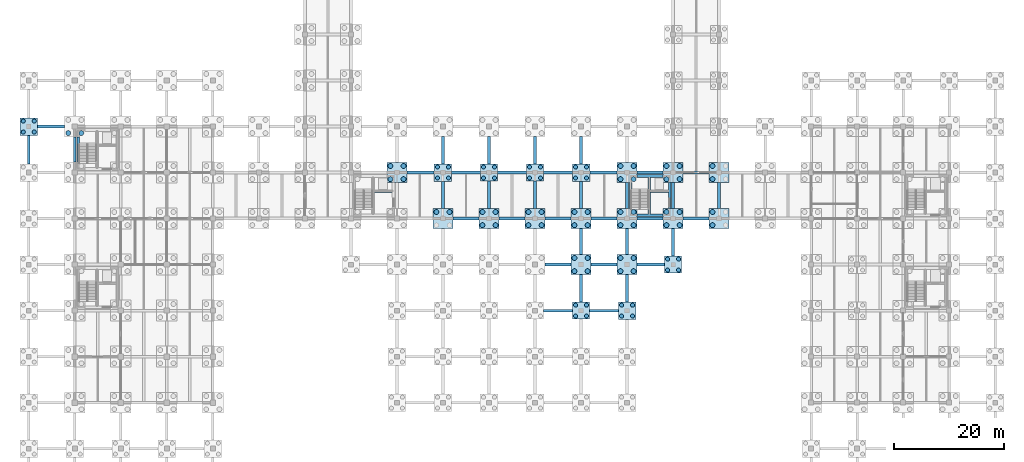
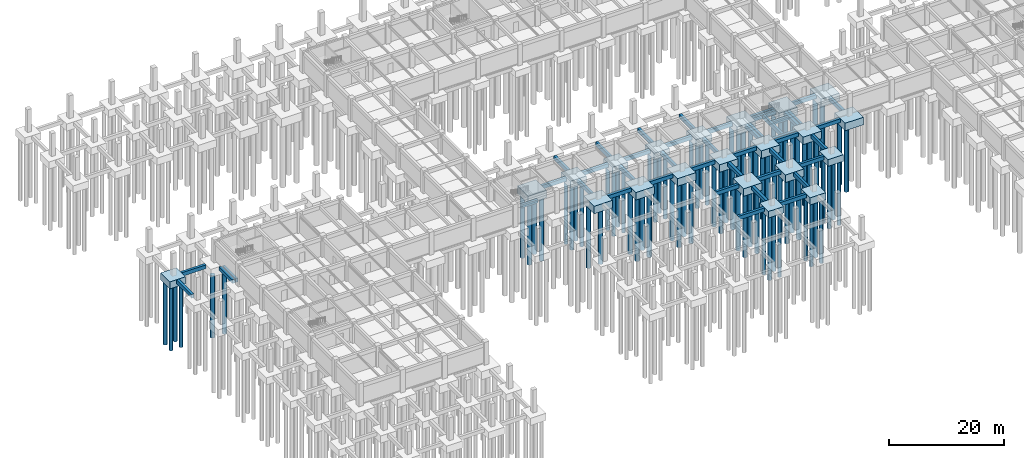
# One storey, part 4 of 29: 80 piles, 66 footings.
"""IFC4 building model written with IfcOpenShell, lengths in metres."""

from ifc_helpers import new_model, si_unit, direction, frame, origin, origin_2d, place, context, subcontext, project, spatial, rectangle, circle, extrude, material, material_profile, profile_set, type_object, element, save


model = new_model("IFC4")

# Units and contexts
model_context = context("Model", 3, precision=1e-05, world=origin(), true_north=direction((0.0, 1.0)))
body_context = subcontext(model_context, "Body", "Model", "MODEL_VIEW")
ifc_project = project(units=[si_unit("LENGTHUNIT", "METRE"), si_unit("AREAUNIT", "SQUARE_METRE"), si_unit("VOLUMEUNIT", "CUBIC_METRE"), si_unit("PLANEANGLEUNIT", "RADIAN"), si_unit("MASSUNIT", "GRAM", prefix="KILO")], contexts=[model_context])

# Site, building, storey
site_placement = place(None, origin())
site = spatial("IfcSite", under=ifc_project, at=site_placement, CompositionType="ELEMENT")
building_placement = place(site_placement, origin())
building = spatial("IfcBuilding", under=site, at=building_placement, Name="Porcellanite Civic Hall", CompositionType="ELEMENT")
storey_placement = place(building_placement, frame((0.0, 0.0, -4.5)))
storey = spatial("IfcBuildingStorey", under=building, at=storey_placement, Name="B1", CompositionType="ELEMENT", Elevation=-4.5)

# Footings
ifc_material_1 = material(Name="Concrete N40 (40 MPa)", Category="concrete")
ifc_material_profile_1 = material_profile(ifc_material_1, rectangle(XDim=0.5, YDim=0.800048828125, at=origin_2d()), Name="RC-500x800")
ifc_profile_set_1 = profile_set([ifc_material_profile_1], Name="Concrete N40 (40 MPa)")
footing_type_1 = type_object("IfcFootingType", Name="GB-01", PredefinedType="FOOTING_BEAM", material=ifc_profile_set_1)
footing_1_placement = place(storey_placement, frame((0.0, 60.39990234375, -0.75), z_axis=(0.0, 1.0, 0.0), x_axis=(-1.0, 0.0, 0.0)))
element("IfcFooting", 1, at=footing_1_placement, inside=storey, type_object=footing_type_1, Name="Ground tie beam B1 0-7 Y", PredefinedType="FOOTING_BEAM", context=body_context, shape_type="SweptSolid", body=[
    extrude(rectangle(XDim=0.5, YDim=0.800048828125, at=origin_2d()), origin(), (0.0, 0.0, 1.0), 5.2001953125),
])
footing_2_placement = place(storey_placement, frame((1.60009765625, 67.199951171875, -0.75), z_axis=(1.0, 0.0, 0.0), x_axis=(0.0, 1.0, 0.0)))
element("IfcFooting", 2, at=footing_2_placement, inside=storey, type_object=footing_type_1, Name="Ground tie beam B1 0-8 X", PredefinedType="FOOTING_BEAM", context=body_context, shape_type="SweptSolid", body=[
    extrude(rectangle(XDim=0.5, YDim=0.800048828125, at=origin_2d()), origin(), (0.0, 0.0, 1.0), 4.89990234375),
])
footing_3_placement = place(storey_placement, frame((8.39990234375, 60.699951171875, -0.75), z_axis=(0.0, 1.0, 0.0), x_axis=(-1.0, 0.0, 0.0)))
element("IfcFooting", 3, at=footing_3_placement, inside=storey, type_object=footing_type_1, Name="Ground tie beam B1 1-7 Y", PredefinedType="FOOTING_BEAM", context=body_context, shape_type="SweptSolid", body=[
    extrude(rectangle(XDim=0.5, YDim=0.800048828125, at=origin_2d()), origin(), (0.0, 0.0, 1.0), 4.60009765625),
])
footing_4_placement = place(storey_placement, frame((69.050048828125, 58.800048828125, -0.75), z_axis=(1.0, 0.0, 0.0), x_axis=(0.0, 1.0, 0.0)))
element("IfcFooting", 4, at=footing_4_placement, inside=storey, type_object=footing_type_1, Name="Ground tie beam B1 8-7 X", PredefinedType="FOOTING_BEAM", context=body_context, shape_type="SweptSolid", body=[
    extrude(rectangle(XDim=0.5, YDim=0.800048828125, at=origin_2d()), origin(), (0.0, 0.0, 1.0), 4.949951171875),
])
footing_5_placement = place(storey_placement, frame((77.449951171875, 50.39990234375, -0.75), z_axis=(1.0, 0.0, 0.0), x_axis=(0.0, 1.0, 0.0)))
element("IfcFooting", 5, at=footing_5_placement, inside=storey, type_object=footing_type_1, Name="Ground tie beam B1 9-6 X", PredefinedType="FOOTING_BEAM", context=body_context, shape_type="SweptSolid", body=[
    extrude(rectangle(XDim=0.5, YDim=0.800048828125, at=origin_2d()), origin(), (0.0, 0.0, 1.0), 4.699951171875),
])
footing_6_placement = place(storey_placement, frame((75.60009765625, 52.25, -0.75), z_axis=(0.0, 1.0, 0.0), x_axis=(-1.0, 0.0, 0.0)))
element("IfcFooting", 6, at=footing_6_placement, inside=storey, type_object=footing_type_1, Name="Ground tie beam B1 9-6 Y", PredefinedType="FOOTING_BEAM", context=body_context, shape_type="SweptSolid", body=[
    extrude(rectangle(XDim=0.5, YDim=0.800048828125, at=origin_2d()), origin(), (0.0, 0.0, 1.0), 4.949951171875),
])
footing_7_placement = place(storey_placement, frame((77.199951171875, 58.800048828125, -0.75), z_axis=(1.0, 0.0, 0.0), x_axis=(0.0, 1.0, 0.0)))
element("IfcFooting", 7, at=footing_7_placement, inside=storey, type_object=footing_type_1, Name="Ground tie beam B1 9-7 X", PredefinedType="FOOTING_BEAM", context=body_context, shape_type="SweptSolid", body=[
    extrude(rectangle(XDim=0.5, YDim=0.800048828125, at=origin_2d()), origin(), (0.0, 0.0, 1.0), 5.25),
])
footing_8_placement = place(storey_placement, frame((75.60009765625, 60.39990234375, -0.75), z_axis=(0.0, 1.0, 0.0), x_axis=(-1.0, 0.0, 0.0)))
element("IfcFooting", 8, at=footing_8_placement, inside=storey, type_object=footing_type_1, Name="Ground tie beam B1 9-7 Y", PredefinedType="FOOTING_BEAM", context=body_context, shape_type="SweptSolid", body=[
    extrude(rectangle(XDim=0.5, YDim=0.800048828125, at=origin_2d()), origin(), (0.0, 0.0, 1.0), 4.9501953125),
])
footing_9_placement = place(storey_placement, frame((85.85009765625, 50.39990234375, -0.75), z_axis=(1.0, 0.0, 0.0), x_axis=(0.0, 1.0, 0.0)))
element("IfcFooting", 9, at=footing_9_placement, inside=storey, type_object=footing_type_1, Name="Ground tie beam B1 10-6 X", PredefinedType="FOOTING_BEAM", context=body_context, shape_type="SweptSolid", body=[
    extrude(rectangle(XDim=0.5, YDim=0.800048828125, at=origin_2d()), origin(), (0.0, 0.0, 1.0), 4.699951171875),
])
footing_10_placement = place(storey_placement, frame((84.0, 52.25, -0.75), z_axis=(0.0, 1.0, 0.0), x_axis=(-1.0, 0.0, 0.0)))
element("IfcFooting", 10, at=footing_10_placement, inside=storey, type_object=footing_type_1, Name="Ground tie beam B1 10-6 Y", PredefinedType="FOOTING_BEAM", context=body_context, shape_type="SweptSolid", body=[
    extrude(rectangle(XDim=0.5, YDim=0.800048828125, at=origin_2d()), origin(), (0.0, 0.0, 1.0), 5.0),
])
footing_11_placement = place(storey_placement, frame((85.550048828125, 58.800048828125, -0.75), z_axis=(1.0, 0.0, 0.0), x_axis=(0.0, 1.0, 0.0)))
element("IfcFooting", 11, at=footing_11_placement, inside=storey, type_object=footing_type_1, Name="Ground tie beam B1 10-7 X", PredefinedType="FOOTING_BEAM", context=body_context, shape_type="SweptSolid", body=[
    extrude(rectangle(XDim=0.5, YDim=0.800048828125, at=origin_2d()), origin(), (0.0, 0.0, 1.0), 5.300048828125),
])
footing_12_placement = place(storey_placement, frame((84.0, 60.35009765625, -0.75), z_axis=(0.0, 1.0, 0.0), x_axis=(-1.0, 0.0, 0.0)))
element("IfcFooting", 12, at=footing_12_placement, inside=storey, type_object=footing_type_1, Name="Ground tie beam B1 10-7 Y", PredefinedType="FOOTING_BEAM", context=body_context, shape_type="SweptSolid", body=[
    extrude(rectangle(XDim=0.5, YDim=0.800048828125, at=origin_2d()), origin(), (0.0, 0.0, 1.0), 5.0),
])
footing_13_placement = place(storey_placement, frame((93.949951171875, 33.60009765625, -0.75), z_axis=(1.0, 0.0, 0.0), x_axis=(0.0, 1.0, 0.0)))
element("IfcFooting", 13, at=footing_13_placement, inside=storey, type_object=footing_type_1, Name="Ground tie beam B1 11-4 X", PredefinedType="FOOTING_BEAM", context=body_context, shape_type="SweptSolid", body=[
    extrude(rectangle(XDim=0.5, YDim=0.800048828125, at=origin_2d()), origin(), (0.0, 0.0, 1.0), 5.300048828125),
])
for number, where, z_axis, x_axis, name in (
    (14, (94.25, 42.0, -0.75), (1.0, 0.0, 0.0), (0.0, 1.0, 0.0), "Ground tie beam B1 11-5 X"),
    (15, (94.25, 50.39990234375, -0.75), (1.0, 0.0, 0.0), (0.0, 1.0, 0.0), "Ground tie beam B1 11-6 X"),
):
    element("IfcFooting", number, at=place(storey_placement, frame(where, z_axis=z_axis, x_axis=x_axis)), inside=storey, type_object=footing_type_1, Name=name, PredefinedType="FOOTING_BEAM", context=body_context, shape_type="SweptSolid", body=[
        extrude(rectangle(XDim=0.5, YDim=0.800048828125, at=origin_2d()), origin(), (0.0, 0.0, 1.0), 4.699951171875),
    ])
footing_14_placement = place(storey_placement, frame((92.39990234375, 52.25, -0.75), z_axis=(0.0, 1.0, 0.0), x_axis=(-1.0, 0.0, 0.0)))
element("IfcFooting", 16, at=footing_14_placement, inside=storey, type_object=footing_type_1, Name="Ground tie beam B1 11-6 Y", PredefinedType="FOOTING_BEAM", context=body_context, shape_type="SweptSolid", body=[
    extrude(rectangle(XDim=0.5, YDim=0.800048828125, at=origin_2d()), origin(), (0.0, 0.0, 1.0), 5.0),
])
footing_15_placement = place(storey_placement, frame((93.949951171875, 58.800048828125, -0.75), z_axis=(1.0, 0.0, 0.0), x_axis=(0.0, 1.0, 0.0)))
element("IfcFooting", 17, at=footing_15_placement, inside=storey, type_object=footing_type_1, Name="Ground tie beam B1 11-7 X", PredefinedType="FOOTING_BEAM", context=body_context, shape_type="SweptSolid", body=[
    extrude(rectangle(XDim=0.5, YDim=0.800048828125, at=origin_2d()), origin(), (0.0, 0.0, 1.0), 5.25),
])
footing_16_placement = place(storey_placement, frame((92.39990234375, 60.35009765625, -0.75), z_axis=(0.0, 1.0, 0.0), x_axis=(-1.0, 0.0, 0.0)))
element("IfcFooting", 18, at=footing_16_placement, inside=storey, type_object=footing_type_1, Name="Ground tie beam B1 11-7 Y", PredefinedType="FOOTING_BEAM", context=body_context, shape_type="SweptSolid", body=[
    extrude(rectangle(XDim=0.5, YDim=0.800048828125, at=origin_2d()), origin(), (0.0, 0.0, 1.0), 5.0),
])
footing_17_placement = place(storey_placement, frame((102.35009765625, 33.60009765625, -0.75), z_axis=(1.0, 0.0, 0.0), x_axis=(0.0, 1.0, 0.0)))
element("IfcFooting", 19, at=footing_17_placement, inside=storey, type_object=footing_type_1, Name="Ground tie beam B1 12-4 X", PredefinedType="FOOTING_BEAM", context=body_context, shape_type="SweptSolid", body=[
    extrude(rectangle(XDim=0.5, YDim=0.800048828125, at=origin_2d()), origin(), (0.0, 0.0, 1.0), 5.25),
])
footing_18_placement = place(storey_placement, frame((100.800048828125, 35.14990234375, -0.75), z_axis=(0.0, 1.0, 0.0), x_axis=(-1.0, 0.0, 0.0)))
element("IfcFooting", 20, at=footing_18_placement, inside=storey, type_object=footing_type_1, Name="Ground tie beam B1 12-4 Y", PredefinedType="FOOTING_BEAM", context=body_context, shape_type="SweptSolid", body=[
    extrude(rectangle(XDim=0.5, YDim=0.800048828125, at=origin_2d()), origin(), (0.0, 0.0, 1.0), 5.0),
])
footing_19_placement = place(storey_placement, frame((102.64990234375, 42.0, -0.75), z_axis=(1.0, 0.0, 0.0), x_axis=(0.0, 1.0, 0.0)))
element("IfcFooting", 21, at=footing_19_placement, inside=storey, type_object=footing_type_1, Name="Ground tie beam B1 12-5 X", PredefinedType="FOOTING_BEAM", context=body_context, shape_type="SweptSolid", body=[
    extrude(rectangle(XDim=0.5, YDim=0.800048828125, at=origin_2d()), origin(), (0.0, 0.0, 1.0), 4.7001953125),
])
footing_20_placement = place(storey_placement, frame((100.800048828125, 43.85009765625, -0.75), z_axis=(0.0, 1.0, 0.0), x_axis=(-1.0, 0.0, 0.0)))
element("IfcFooting", 22, at=footing_20_placement, inside=storey, type_object=footing_type_1, Name="Ground tie beam B1 12-5 Y", PredefinedType="FOOTING_BEAM", context=body_context, shape_type="SweptSolid", body=[
    extrude(rectangle(XDim=0.5, YDim=0.800048828125, at=origin_2d()), origin(), (0.0, 0.0, 1.0), 4.699951171875),
])
footing_21_placement = place(storey_placement, frame((102.64990234375, 50.39990234375, -0.75), z_axis=(1.0, 0.0, 0.0), x_axis=(0.0, 1.0, 0.0)))
element("IfcFooting", 23, at=footing_21_placement, inside=storey, type_object=footing_type_1, Name="Ground tie beam B1 12-6 X", PredefinedType="FOOTING_BEAM", context=body_context, shape_type="SweptSolid", body=[
    extrude(rectangle(XDim=0.5, YDim=0.800048828125, at=origin_2d()), origin(), (0.0, 0.0, 1.0), 4.7001953125),
])
footing_22_placement = place(storey_placement, frame((100.800048828125, 52.25, -0.75), z_axis=(0.0, 1.0, 0.0), x_axis=(-1.0, 0.0, 0.0)))
element("IfcFooting", 24, at=footing_22_placement, inside=storey, type_object=footing_type_1, Name="Ground tie beam B1 12-6 Y", PredefinedType="FOOTING_BEAM", context=body_context, shape_type="SweptSolid", body=[
    extrude(rectangle(XDim=0.5, YDim=0.800048828125, at=origin_2d()), origin(), (0.0, 0.0, 1.0), 4.949951171875),
])
for number, where, z_axis, x_axis, name in (
    (25, (102.39990234375, 58.800048828125, -0.75), (1.0, 0.0, 0.0), (0.0, 1.0, 0.0), "Ground tie beam B1 12-7 X"),
    (26, (100.800048828125, 60.39990234375, -0.75), (0.0, 1.0, 0.0), (-1.0, 0.0, 0.0), "Ground tie beam B1 12-7 Y"),
):
    element("IfcFooting", number, at=place(storey_placement, frame(where, z_axis=z_axis, x_axis=x_axis)), inside=storey, type_object=footing_type_1, Name=name, PredefinedType="FOOTING_BEAM", context=body_context, shape_type="SweptSolid", body=[
        extrude(rectangle(XDim=0.5, YDim=0.800048828125, at=origin_2d()), origin(), (0.0, 0.0, 1.0), 4.9501953125),
    ])
footing_23_placement = place(storey_placement, frame((109.199951171875, 35.199951171875, -0.75), z_axis=(0.0, 1.0, 0.0), x_axis=(-1.0, 0.0, 0.0)))
element("IfcFooting", 27, at=footing_23_placement, inside=storey, type_object=footing_type_1, Name="Ground tie beam B1 13-4 Y", PredefinedType="FOOTING_BEAM", context=body_context, shape_type="SweptSolid", body=[
    extrude(rectangle(XDim=0.5, YDim=0.800048828125, at=origin_2d()), origin(), (0.0, 0.0, 1.0), 4.949951171875),
])
footing_24_placement = place(storey_placement, frame((111.050048828125, 42.0, -0.75), z_axis=(1.0, 0.0, 0.0), x_axis=(0.0, 1.0, 0.0)))
element("IfcFooting", 28, at=footing_24_placement, inside=storey, type_object=footing_type_1, Name="Ground tie beam B1 13-5 X", PredefinedType="FOOTING_BEAM", context=body_context, shape_type="SweptSolid", body=[
    extrude(rectangle(XDim=0.5, YDim=0.800048828125, at=origin_2d()), origin(), (0.0, 0.0, 1.0), 5.0),
])
for number, where, z_axis, x_axis, name in (
    (29, (109.199951171875, 43.85009765625, -0.75), (0.0, 1.0, 0.0), (-1.0, 0.0, 0.0), "Ground tie beam B1 13-5 Y"),
    (30, (111.050048828125, 50.39990234375, -0.75), (1.0, 0.0, 0.0), (0.0, 1.0, 0.0), "Ground tie beam B1 13-6 X"),
    (31, (109.199951171875, 52.25, -0.75), (0.0, 1.0, 0.0), (-1.0, 0.0, 0.0), "Ground tie beam B1 13-6 Y"),
    (32, (111.050048828125, 58.800048828125, -0.75), (1.0, 0.0, 0.0), (0.0, 1.0, 0.0), "Ground tie beam B1 13-7 X"),
):
    element("IfcFooting", number, at=place(storey_placement, frame(where, z_axis=z_axis, x_axis=x_axis)), inside=storey, type_object=footing_type_1, Name=name, PredefinedType="FOOTING_BEAM", context=body_context, shape_type="SweptSolid", body=[
        extrude(rectangle(XDim=0.5, YDim=0.800048828125, at=origin_2d()), origin(), (0.0, 0.0, 1.0), 4.699951171875),
    ])
footing_25_placement = place(storey_placement, frame((117.60009765625, 43.550048828125, -0.75), z_axis=(0.0, 1.0, 0.0), x_axis=(-1.0, 0.0, 0.0)))
element("IfcFooting", 33, at=footing_25_placement, inside=storey, type_object=footing_type_1, Name="Ground tie beam B1 14-5 Y", PredefinedType="FOOTING_BEAM", context=body_context, shape_type="SweptSolid", body=[
    extrude(rectangle(XDim=0.5, YDim=0.800048828125, at=origin_2d()), origin(), (0.0, 0.0, 1.0), 5.0),
])
for number, where, z_axis, x_axis, name in (
    (34, (119.449951171875, 50.39990234375, -0.75), (1.0, 0.0, 0.0), (0.0, 1.0, 0.0), "Ground tie beam B1 14-6 X"),
    (35, (117.60009765625, 52.25, -0.75), (0.0, 1.0, 0.0), (-1.0, 0.0, 0.0), "Ground tie beam B1 14-6 Y"),
    (36, (119.449951171875, 58.800048828125, -0.75), (1.0, 0.0, 0.0), (0.0, 1.0, 0.0), "Ground tie beam B1 14-7 X"),
    (37, (126.0, 52.25, -0.75), (0.0, 1.0, 0.0), (-1.0, 0.0, 0.0), "Ground tie beam B1 15-6 Y"),
):
    element("IfcFooting", number, at=place(storey_placement, frame(where, z_axis=z_axis, x_axis=x_axis)), inside=storey, type_object=footing_type_1, Name=name, PredefinedType="FOOTING_BEAM", context=body_context, shape_type="SweptSolid", body=[
        extrude(rectangle(XDim=0.5, YDim=0.800048828125, at=origin_2d()), origin(), (0.0, 0.0, 1.0), 4.699951171875),
    ])
footing_26_placement = place(storey_placement, frame((9.030029296875, 60.699951171875, -0.75), z_axis=(0.0, 1.0, 0.0), x_axis=(-1.0, 0.0, 0.0)))
element("IfcFooting", 38, at=footing_26_placement, inside=storey, type_object=footing_type_1, Name="Core strip footing C2 W", PredefinedType="FOOTING_BEAM", context=body_context, shape_type="SweptSolid", body=[
    extrude(rectangle(XDim=0.5, YDim=0.800048828125, at=origin_2d()), origin(), (0.0, 0.0, 1.0), 4.60009765625),
])
for number, where, z_axis, x_axis, name in (
    (39, (111.050048828125, 51.030029296875, -0.75), (1.0, 0.0, 0.0), (0.0, 1.0, 0.0), "Core strip footing C6 S"),
    (40, (111.050048828125, 58.169921875, -0.75), (1.0, 0.0, 0.0), (0.0, 1.0, 0.0), "Core strip footing C6 N"),
    (41, (109.830078125, 52.25, -0.75), (0.0, 1.0, 0.0), (-1.0, 0.0, 0.0), "Core strip footing C6 W"),
    (42, (116.969970703125, 52.25, -0.75), (0.0, 1.0, 0.0), (-1.0, 0.0, 0.0), "Core strip footing C6 E"),
):
    element("IfcFooting", number, at=place(storey_placement, frame(where, z_axis=z_axis, x_axis=x_axis)), inside=storey, type_object=footing_type_1, Name=name, PredefinedType="FOOTING_BEAM", context=body_context, shape_type="SweptSolid", body=[
        extrude(rectangle(XDim=0.5, YDim=0.800048828125, at=origin_2d()), origin(), (0.0, 0.0, 1.0), 4.699951171875),
    ])
footing_27_placement = place(storey_placement, frame((113.239990234375, 51.280029296875, -0.75), z_axis=(0.0, 1.0, 0.0), x_axis=(-1.0, 0.0, 0.0)))
element("IfcFooting", 43, at=footing_27_placement, inside=storey, type_object=footing_type_1, Name="Core strip footing C6 DIV", PredefinedType="FOOTING_BEAM", context=body_context, shape_type="SweptSolid", body=[
    extrude(rectangle(XDim=0.5, YDim=0.800048828125, at=origin_2d()), origin(), (0.0, 0.0, 1.0), 6.639892578125),
])
ifc_material_2 = material(Name="Concrete N40 (40 MPa)", Category="concrete")
ifc_material_profile_2 = material_profile(ifc_material_2, rectangle(XDim=0.449951171875, YDim=0.699951171875, at=origin_2d()), Name="RC-450x700")
ifc_profile_set_2 = profile_set([ifc_material_profile_2], Name="Concrete N40 (40 MPa)")
footing_type_2 = type_object("IfcFootingType", Name="GB-03", PredefinedType="FOOTING_BEAM", material=ifc_profile_set_2)
for number, where, z_axis, x_axis, name in (
    (44, (63.090087890625, 55.419921875, -0.699951171875), (1.0, 0.0, 0.0), (0.0, 1.0, 0.0), "Core lift wall footing C5"),
    (45, (113.489990234375, 55.419921875, -0.699951171875), (1.0, 0.0, 0.0), (0.0, 1.0, 0.0), "Core lift wall footing C6"),
):
    element("IfcFooting", number, at=place(storey_placement, frame(where, z_axis=z_axis, x_axis=x_axis)), inside=storey, type_object=footing_type_2, Name=name, PredefinedType="FOOTING_BEAM", context=body_context, shape_type="SweptSolid", body=[
        extrude(rectangle(XDim=0.449951171875, YDim=0.699951171875, at=origin_2d()), origin(), (0.0, 0.0, 1.0), 3.22998046875),
    ])
ifc_material_3 = material(Name="Concrete N40 (40 MPa)", Category="concrete")
footing_type_3 = type_object("IfcFootingType", Name="PC-01", PredefinedType="PILE_CAP", material=ifc_material_3)
for number, where, z_axis, x_axis, name in (
    (46, (84.0, 58.800048828125, -1.75), (0.0, 0.0, 1.0), (1.0, 0.0, 0.0), "Pile cap 10-7"),
    (47, (92.39990234375, 58.800048828125, -1.75), (0.0, 0.0, 1.0), (1.0, 0.0, 0.0), "Pile cap 11-7"),
    (48, (100.800048828125, 33.60009765625, -1.75), (0.0, 0.0, 1.0), (1.0, 0.0, 0.0), "Pile cap 12-4"),
    (49, (117.60009765625, 42.0, -1.75), (0.0, 0.0, 1.0), (1.0, 0.0, 0.0), "Pile cap 14-5"),
):
    element("IfcFooting", number, at=place(storey_placement, frame(where, z_axis=z_axis, x_axis=x_axis)), inside=storey, type_object=footing_type_3, Name=name, PredefinedType="PILE_CAP", context=body_context, shape_type="SweptSolid", body=[
        extrude(rectangle(XDim=3.10009765625, YDim=3.10009765625, at=origin_2d()), origin(), (0.0, 0.0, 1.0), 1.39990234375),
    ])
ifc_material_4 = material(Name="Concrete N40 (40 MPa)", Category="concrete")
footing_type_4 = type_object("IfcFootingType", Name="PC-02", PredefinedType="PILE_CAP", material=ifc_material_4)
for number, where, z_axis, x_axis, name in (
    (50, (0.0, 67.199951171875, -1.85009765625), (0.0, 0.0, 1.0), (1.0, 0.0, 0.0), "Pile cap 0-8"),
    (51, (75.60009765625, 58.800048828125, -1.85009765625), (0.0, 0.0, 1.0), (1.0, 0.0, 0.0), "Pile cap 9-7"),
    (52, (100.800048828125, 58.800048828125, -1.85009765625), (0.0, 0.0, 1.0), (1.0, 0.0, 0.0), "Pile cap 12-7"),
    (53, (109.199951171875, 33.60009765625, -1.85009765625), (0.0, 0.0, 1.0), (1.0, 0.0, 0.0), "Pile cap 13-4"),
):
    element("IfcFooting", number, at=place(storey_placement, frame(where, z_axis=z_axis, x_axis=x_axis)), inside=storey, type_object=footing_type_4, Name=name, PredefinedType="PILE_CAP", context=body_context, shape_type="SweptSolid", body=[
        extrude(rectangle(XDim=3.199951171875, YDim=3.199951171875, at=origin_2d()), origin(), (0.0, 0.0, 1.0), 1.5),
    ])
ifc_material_5 = material(Name="Concrete N40 (40 MPa)", Category="concrete")
footing_type_5 = type_object("IfcFootingType", Name="PC-03", PredefinedType="PILE_CAP", material=ifc_material_5)
for number, where, z_axis, x_axis, name in (
    (54, (67.199951171875, 58.800048828125, -1.949951171875), (0.0, 0.0, 1.0), (1.0, 0.0, 0.0), "Pile cap 8-7"),
    (55, (75.60009765625, 50.39990234375, -1.949951171875), (0.0, 0.0, 1.0), (1.0, 0.0, 0.0), "Pile cap 9-6"),
    (56, (84.0, 50.39990234375, -1.949951171875), (0.0, 0.0, 1.0), (1.0, 0.0, 0.0), "Pile cap 10-6"),
    (57, (92.39990234375, 50.39990234375, -1.949951171875), (0.0, 0.0, 1.0), (1.0, 0.0, 0.0), "Pile cap 11-6"),
    (58, (100.800048828125, 42.0, -1.949951171875), (0.0, 0.0, 1.0), (1.0, 0.0, 0.0), "Pile cap 12-5"),
    (59, (100.800048828125, 50.39990234375, -1.949951171875), (0.0, 0.0, 1.0), (1.0, 0.0, 0.0), "Pile cap 12-6"),
    (60, (109.199951171875, 42.0, -1.949951171875), (0.0, 0.0, 1.0), (1.0, 0.0, 0.0), "Pile cap 13-5"),
    (61, (109.199951171875, 50.39990234375, -1.949951171875), (0.0, 0.0, 1.0), (1.0, 0.0, 0.0), "Pile cap 13-6"),
    (62, (109.199951171875, 58.800048828125, -1.949951171875), (0.0, 0.0, 1.0), (1.0, 0.0, 0.0), "Pile cap 13-7"),
    (63, (117.60009765625, 50.39990234375, -1.949951171875), (0.0, 0.0, 1.0), (1.0, 0.0, 0.0), "Pile cap 14-6"),
    (64, (117.60009765625, 58.800048828125, -1.949951171875), (0.0, 0.0, 1.0), (1.0, 0.0, 0.0), "Pile cap 14-7"),
    (65, (126.0, 50.39990234375, -1.949951171875), (0.0, 0.0, 1.0), (1.0, 0.0, 0.0), "Pile cap 15-6"),
    (66, (126.0, 58.800048828125, -1.949951171875), (0.0, 0.0, 1.0), (1.0, 0.0, 0.0), "Pile cap 15-7"),
):
    element("IfcFooting", number, at=place(storey_placement, frame(where, z_axis=z_axis, x_axis=x_axis)), inside=storey, type_object=footing_type_5, Name=name, PredefinedType="PILE_CAP", context=body_context, shape_type="SweptSolid", body=[
        extrude(rectangle(XDim=3.699951171875, YDim=3.699951171875, at=origin_2d()), origin(), (0.0, 0.0, 1.0), 1.60009765625),
    ])

# Piles
ifc_material_6 = material(Name="Concrete N40 (40 MPa)", Category="concrete")
ifc_material_profile_3 = material_profile(ifc_material_6, circle(Radius=0.375, at=origin_2d()), Name="PILE-D750")
ifc_profile_set_3 = profile_set([ifc_material_profile_3], Name="Concrete N40 (40 MPa)")
pile_type_1 = type_object("IfcPileType", Name="PL-750", PredefinedType="BORED", material=ifc_profile_set_3)
for number, where, z_axis, x_axis, name in (
    (67, (-1.0, 66.199951171875, -1.85009765625), (0.0, 0.0, -1.0), (1.0, 0.0, 0.0), "Bored pile 0-8-1"),
    (68, (-1.0, 68.199951171875, -1.85009765625), (0.0, 0.0, -1.0), (1.0, 0.0, 0.0), "Bored pile 0-8-2"),
    (69, (1.0, 66.199951171875, -1.85009765625), (0.0, 0.0, -1.0), (1.0, 0.0, 0.0), "Bored pile 0-8-3"),
    (70, (1.0, 68.199951171875, -1.85009765625), (0.0, 0.0, -1.0), (1.0, 0.0, 0.0), "Bored pile 0-8-4"),
    (71, (74.60009765625, 57.800048828125, -1.85009765625), (0.0, 0.0, -1.0), (1.0, 0.0, 0.0), "Bored pile 9-7-1"),
    (72, (74.60009765625, 59.800048828125, -1.85009765625), (0.0, 0.0, -1.0), (1.0, 0.0, 0.0), "Bored pile 9-7-2"),
    (73, (76.60009765625, 57.800048828125, -1.85009765625), (0.0, 0.0, -1.0), (1.0, 0.0, 0.0), "Bored pile 9-7-3"),
    (74, (76.60009765625, 59.800048828125, -1.85009765625), (0.0, 0.0, -1.0), (1.0, 0.0, 0.0), "Bored pile 9-7-4"),
):
    element("IfcPile", number, at=place(storey_placement, frame(where, z_axis=z_axis, x_axis=x_axis)), inside=storey, type_object=pile_type_1, Name=name, PredefinedType="BORED", context=body_context, shape_type="SweptSolid", body=[
        extrude(circle(Radius=0.375, at=origin_2d()), origin(), (0.0, 0.0, 1.0), 13.449951171875),
    ])
for number, where, z_axis, x_axis, name in (
    (75, (83.0, 57.800048828125, -1.75), (0.0, 0.0, -1.0), (1.0, 0.0, 0.0), "Bored pile 10-7-1"),
    (76, (83.0, 59.800048828125, -1.75), (0.0, 0.0, -1.0), (1.0, 0.0, 0.0), "Bored pile 10-7-2"),
    (77, (85.0, 57.800048828125, -1.75), (0.0, 0.0, -1.0), (1.0, 0.0, 0.0), "Bored pile 10-7-3"),
    (78, (85.0, 59.800048828125, -1.75), (0.0, 0.0, -1.0), (1.0, 0.0, 0.0), "Bored pile 10-7-4"),
    (79, (91.39990234375, 57.800048828125, -1.75), (0.0, 0.0, -1.0), (1.0, 0.0, 0.0), "Bored pile 11-7-1"),
    (80, (91.39990234375, 59.800048828125, -1.75), (0.0, 0.0, -1.0), (1.0, 0.0, 0.0), "Bored pile 11-7-2"),
    (81, (93.39990234375, 57.800048828125, -1.75), (0.0, 0.0, -1.0), (1.0, 0.0, 0.0), "Bored pile 11-7-3"),
    (82, (93.39990234375, 59.800048828125, -1.75), (0.0, 0.0, -1.0), (1.0, 0.0, 0.0), "Bored pile 11-7-4"),
    (83, (99.800048828125, 32.60009765625, -1.75), (0.0, 0.0, -1.0), (1.0, 0.0, 0.0), "Bored pile 12-4-1"),
    (84, (99.800048828125, 34.60009765625, -1.75), (0.0, 0.0, -1.0), (1.0, 0.0, 0.0), "Bored pile 12-4-2"),
    (85, (101.800048828125, 32.60009765625, -1.75), (0.0, 0.0, -1.0), (1.0, 0.0, 0.0), "Bored pile 12-4-3"),
    (86, (101.800048828125, 34.60009765625, -1.75), (0.0, 0.0, -1.0), (1.0, 0.0, 0.0), "Bored pile 12-4-4"),
):
    element("IfcPile", number, at=place(storey_placement, frame(where, z_axis=z_axis, x_axis=x_axis)), inside=storey, type_object=pile_type_1, Name=name, PredefinedType="BORED", context=body_context, shape_type="SweptSolid", body=[
        extrude(circle(Radius=0.375, at=origin_2d()), origin(), (0.0, 0.0, 1.0), 13.550048828125),
    ])
for number, where, z_axis, x_axis, name in (
    (87, (99.800048828125, 57.800048828125, -1.85009765625), (0.0, 0.0, -1.0), (1.0, 0.0, 0.0), "Bored pile 12-7-1"),
    (88, (99.800048828125, 59.800048828125, -1.85009765625), (0.0, 0.0, -1.0), (1.0, 0.0, 0.0), "Bored pile 12-7-2"),
    (89, (101.800048828125, 57.800048828125, -1.85009765625), (0.0, 0.0, -1.0), (1.0, 0.0, 0.0), "Bored pile 12-7-3"),
    (90, (101.800048828125, 59.800048828125, -1.85009765625), (0.0, 0.0, -1.0), (1.0, 0.0, 0.0), "Bored pile 12-7-4"),
    (91, (108.199951171875, 32.60009765625, -1.85009765625), (0.0, 0.0, -1.0), (1.0, 0.0, 0.0), "Bored pile 13-4-1"),
    (92, (108.199951171875, 34.60009765625, -1.85009765625), (0.0, 0.0, -1.0), (1.0, 0.0, 0.0), "Bored pile 13-4-2"),
    (93, (110.199951171875, 32.60009765625, -1.85009765625), (0.0, 0.0, -1.0), (1.0, 0.0, 0.0), "Bored pile 13-4-3"),
    (94, (110.199951171875, 34.60009765625, -1.85009765625), (0.0, 0.0, -1.0), (1.0, 0.0, 0.0), "Bored pile 13-4-4"),
):
    element("IfcPile", number, at=place(storey_placement, frame(where, z_axis=z_axis, x_axis=x_axis)), inside=storey, type_object=pile_type_1, Name=name, PredefinedType="BORED", context=body_context, shape_type="SweptSolid", body=[
        extrude(circle(Radius=0.375, at=origin_2d()), origin(), (0.0, 0.0, 1.0), 13.449951171875),
    ])
for number, where, z_axis, x_axis, name in (
    (95, (116.60009765625, 41.0, -1.75), (0.0, 0.0, -1.0), (1.0, 0.0, 0.0), "Bored pile 14-5-1"),
    (96, (116.60009765625, 43.0, -1.75), (0.0, 0.0, -1.0), (1.0, 0.0, 0.0), "Bored pile 14-5-2"),
    (97, (118.60009765625, 41.0, -1.75), (0.0, 0.0, -1.0), (1.0, 0.0, 0.0), "Bored pile 14-5-3"),
    (98, (118.60009765625, 43.0, -1.75), (0.0, 0.0, -1.0), (1.0, 0.0, 0.0), "Bored pile 14-5-4"),
):
    element("IfcPile", number, at=place(storey_placement, frame(where, z_axis=z_axis, x_axis=x_axis)), inside=storey, type_object=pile_type_1, Name=name, PredefinedType="BORED", context=body_context, shape_type="SweptSolid", body=[
        extrude(circle(Radius=0.375, at=origin_2d()), origin(), (0.0, 0.0, 1.0), 13.550048828125),
    ])
ifc_material_7 = material(Name="Concrete N40 (40 MPa)", Category="concrete")
ifc_material_profile_4 = material_profile(ifc_material_7, circle(Radius=0.449951171875, at=origin_2d()), Name="PILE-D900")
ifc_profile_set_4 = profile_set([ifc_material_profile_4], Name="Concrete N40 (40 MPa)")
pile_type_2 = type_object("IfcPileType", Name="PL-900", PredefinedType="BORED", material=ifc_profile_set_4)
for number, where, z_axis, x_axis, name in (
    (99, (7.199951171875, 66.0, -2.050048828125), (0.0, 0.0, -1.0), (1.0, 0.0, 0.0), "Bored pile 1-8-1"),
    (100, (9.60009765625, 66.0, -2.050048828125), (0.0, 0.0, -1.0), (1.0, 0.0, 0.0), "Bored pile 1-8-3"),
):
    element("IfcPile", number, at=place(storey_placement, frame(where, z_axis=z_axis, x_axis=x_axis)), inside=storey, type_object=pile_type_2, Name=name, PredefinedType="BORED", context=body_context, shape_type="SweptSolid", body=[
        extrude(circle(Radius=0.449951171875, at=origin_2d()), origin(), (0.0, 0.0, 1.0), 13.25),
    ])
for number, where, z_axis, x_axis, name in (
    (101, (66.0, 57.60009765625, -1.949951171875), (0.0, 0.0, -1.0), (1.0, 0.0, 0.0), "Bored pile 8-7-1"),
    (102, (66.0, 60.0, -1.949951171875), (0.0, 0.0, -1.0), (1.0, 0.0, 0.0), "Bored pile 8-7-2"),
    (103, (68.39990234375, 57.60009765625, -1.949951171875), (0.0, 0.0, -1.0), (1.0, 0.0, 0.0), "Bored pile 8-7-3"),
    (104, (68.39990234375, 60.0, -1.949951171875), (0.0, 0.0, -1.0), (1.0, 0.0, 0.0), "Bored pile 8-7-4"),
    (105, (74.39990234375, 51.60009765625, -1.949951171875), (0.0, 0.0, -1.0), (1.0, 0.0, 0.0), "Bored pile 9-6-2"),
    (106, (76.800048828125, 51.60009765625, -1.949951171875), (0.0, 0.0, -1.0), (1.0, 0.0, 0.0), "Bored pile 9-6-4"),
    (107, (82.800048828125, 49.199951171875, -1.949951171875), (0.0, 0.0, -1.0), (1.0, 0.0, 0.0), "Bored pile 10-6-1"),
    (108, (82.800048828125, 51.60009765625, -1.949951171875), (0.0, 0.0, -1.0), (1.0, 0.0, 0.0), "Bored pile 10-6-2"),
    (109, (85.199951171875, 49.199951171875, -1.949951171875), (0.0, 0.0, -1.0), (1.0, 0.0, 0.0), "Bored pile 10-6-3"),
    (110, (85.199951171875, 51.60009765625, -1.949951171875), (0.0, 0.0, -1.0), (1.0, 0.0, 0.0), "Bored pile 10-6-4"),
    (111, (91.199951171875, 49.199951171875, -1.949951171875), (0.0, 0.0, -1.0), (1.0, 0.0, 0.0), "Bored pile 11-6-1"),
    (112, (91.199951171875, 51.60009765625, -1.949951171875), (0.0, 0.0, -1.0), (1.0, 0.0, 0.0), "Bored pile 11-6-2"),
    (113, (93.60009765625, 49.199951171875, -1.949951171875), (0.0, 0.0, -1.0), (1.0, 0.0, 0.0), "Bored pile 11-6-3"),
    (114, (93.60009765625, 51.60009765625, -1.949951171875), (0.0, 0.0, -1.0), (1.0, 0.0, 0.0), "Bored pile 11-6-4"),
    (115, (99.60009765625, 40.800048828125, -1.949951171875), (0.0, 0.0, -1.0), (1.0, 0.0, 0.0), "Bored pile 12-5-1"),
    (116, (99.60009765625, 43.199951171875, -1.949951171875), (0.0, 0.0, -1.0), (1.0, 0.0, 0.0), "Bored pile 12-5-2"),
    (117, (102.0, 40.800048828125, -1.949951171875), (0.0, 0.0, -1.0), (1.0, 0.0, 0.0), "Bored pile 12-5-3"),
    (118, (102.0, 43.199951171875, -1.949951171875), (0.0, 0.0, -1.0), (1.0, 0.0, 0.0), "Bored pile 12-5-4"),
    (119, (99.60009765625, 49.199951171875, -1.949951171875), (0.0, 0.0, -1.0), (1.0, 0.0, 0.0), "Bored pile 12-6-1"),
    (120, (99.60009765625, 51.60009765625, -1.949951171875), (0.0, 0.0, -1.0), (1.0, 0.0, 0.0), "Bored pile 12-6-2"),
    (121, (102.0, 49.199951171875, -1.949951171875), (0.0, 0.0, -1.0), (1.0, 0.0, 0.0), "Bored pile 12-6-3"),
    (122, (102.0, 51.60009765625, -1.949951171875), (0.0, 0.0, -1.0), (1.0, 0.0, 0.0), "Bored pile 12-6-4"),
    (123, (108.0, 40.800048828125, -1.949951171875), (0.0, 0.0, -1.0), (1.0, 0.0, 0.0), "Bored pile 13-5-1"),
    (124, (108.0, 43.199951171875, -1.949951171875), (0.0, 0.0, -1.0), (1.0, 0.0, 0.0), "Bored pile 13-5-2"),
    (125, (110.39990234375, 40.800048828125, -1.949951171875), (0.0, 0.0, -1.0), (1.0, 0.0, 0.0), "Bored pile 13-5-3"),
    (126, (110.39990234375, 43.199951171875, -1.949951171875), (0.0, 0.0, -1.0), (1.0, 0.0, 0.0), "Bored pile 13-5-4"),
    (127, (108.0, 49.199951171875, -1.949951171875), (0.0, 0.0, -1.0), (1.0, 0.0, 0.0), "Bored pile 13-6-1"),
    (128, (108.0, 51.60009765625, -1.949951171875), (0.0, 0.0, -1.0), (1.0, 0.0, 0.0), "Bored pile 13-6-2"),
    (129, (110.39990234375, 49.199951171875, -1.949951171875), (0.0, 0.0, -1.0), (1.0, 0.0, 0.0), "Bored pile 13-6-3"),
    (130, (110.39990234375, 51.60009765625, -1.949951171875), (0.0, 0.0, -1.0), (1.0, 0.0, 0.0), "Bored pile 13-6-4"),
    (131, (108.0, 57.60009765625, -1.949951171875), (0.0, 0.0, -1.0), (1.0, 0.0, 0.0), "Bored pile 13-7-1"),
    (132, (108.0, 60.0, -1.949951171875), (0.0, 0.0, -1.0), (1.0, 0.0, 0.0), "Bored pile 13-7-2"),
    (133, (110.39990234375, 57.60009765625, -1.949951171875), (0.0, 0.0, -1.0), (1.0, 0.0, 0.0), "Bored pile 13-7-3"),
    (134, (110.39990234375, 60.0, -1.949951171875), (0.0, 0.0, -1.0), (1.0, 0.0, 0.0), "Bored pile 13-7-4"),
    (135, (116.39990234375, 49.199951171875, -1.949951171875), (0.0, 0.0, -1.0), (1.0, 0.0, 0.0), "Bored pile 14-6-1"),
    (136, (116.39990234375, 51.60009765625, -1.949951171875), (0.0, 0.0, -1.0), (1.0, 0.0, 0.0), "Bored pile 14-6-2"),
    (137, (118.800048828125, 49.199951171875, -1.949951171875), (0.0, 0.0, -1.0), (1.0, 0.0, 0.0), "Bored pile 14-6-3"),
    (138, (118.800048828125, 51.60009765625, -1.949951171875), (0.0, 0.0, -1.0), (1.0, 0.0, 0.0), "Bored pile 14-6-4"),
    (139, (116.39990234375, 57.60009765625, -1.949951171875), (0.0, 0.0, -1.0), (1.0, 0.0, 0.0), "Bored pile 14-7-1"),
    (140, (116.39990234375, 60.0, -1.949951171875), (0.0, 0.0, -1.0), (1.0, 0.0, 0.0), "Bored pile 14-7-2"),
    (141, (118.800048828125, 57.60009765625, -1.949951171875), (0.0, 0.0, -1.0), (1.0, 0.0, 0.0), "Bored pile 14-7-3"),
    (142, (118.800048828125, 60.0, -1.949951171875), (0.0, 0.0, -1.0), (1.0, 0.0, 0.0), "Bored pile 14-7-4"),
    (143, (124.800048828125, 49.199951171875, -1.949951171875), (0.0, 0.0, -1.0), (1.0, 0.0, 0.0), "Bored pile 15-6-1"),
    (144, (124.800048828125, 51.60009765625, -1.949951171875), (0.0, 0.0, -1.0), (1.0, 0.0, 0.0), "Bored pile 15-6-2"),
    (145, (124.800048828125, 57.60009765625, -1.949951171875), (0.0, 0.0, -1.0), (1.0, 0.0, 0.0), "Bored pile 15-7-1"),
    (146, (124.800048828125, 60.0, -1.949951171875), (0.0, 0.0, -1.0), (1.0, 0.0, 0.0), "Bored pile 15-7-2"),
):
    element("IfcPile", number, at=place(storey_placement, frame(where, z_axis=z_axis, x_axis=x_axis)), inside=storey, type_object=pile_type_2, Name=name, PredefinedType="BORED", context=body_context, shape_type="SweptSolid", body=[
        extrude(circle(Radius=0.449951171875, at=origin_2d()), origin(), (0.0, 0.0, 1.0), 13.35009765625),
    ])

save(model, "model.ifc")
